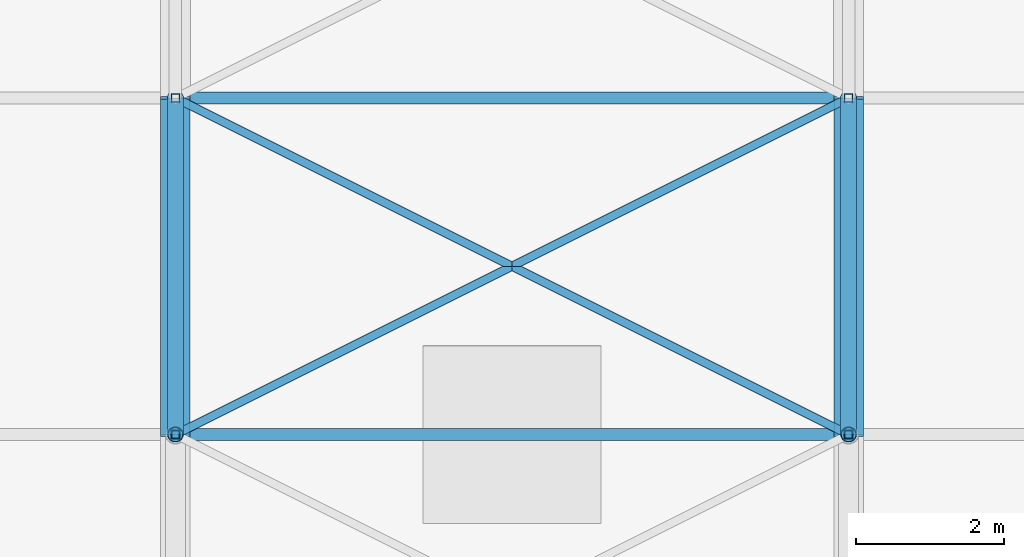
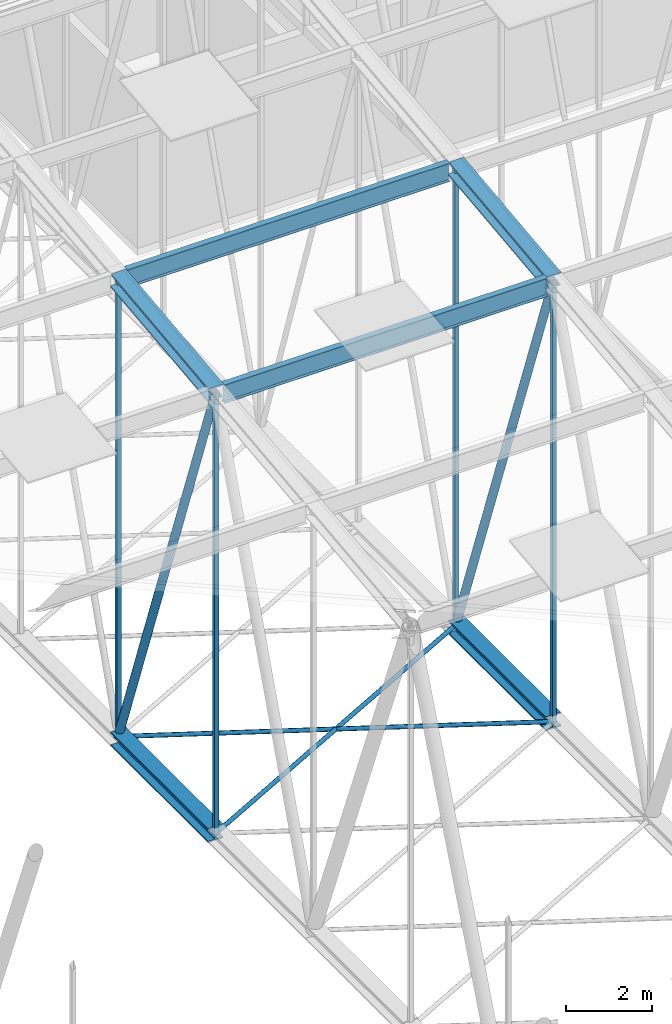
# One storey, part 157 of 500: 14 members.
"""IFC4 building model written with IfcOpenShell, lengths in metres."""

from ifc_helpers import new_model, si_unit, direction, frame, origin, origin_2d, place, context, subcontext, project, spatial, hollow_rectangle, hollow_circle, i_section, extrude, material, material_profile, profile_set, type_object, element, save


model = new_model("IFC4")

# Units and contexts
model_context = context("Model", 3, precision=1e-05, world=origin(), true_north=direction((0.0, 1.0)))
body_context = subcontext(model_context, "Body", "Model", "MODEL_VIEW")
ifc_project = project(units=[si_unit("LENGTHUNIT", "METRE"), si_unit("AREAUNIT", "SQUARE_METRE"), si_unit("VOLUMEUNIT", "CUBIC_METRE"), si_unit("PLANEANGLEUNIT", "RADIAN"), si_unit("MASSUNIT", "GRAM", prefix="KILO")], contexts=[model_context])

# Site, building, storey
site_placement = place(None, origin())
site = spatial("IfcSite", under=ifc_project, at=site_placement, CompositionType="ELEMENT")
building_placement = place(site_placement, origin())
building = spatial("IfcBuilding", under=site, at=building_placement, Name="Shirokan Park Arena", CompositionType="ELEMENT")
storey_placement = place(building_placement, frame((0.0, 0.0, 29.1201171875)))
storey = spatial("IfcBuildingStorey", under=building, at=storey_placement, Name="L06", CompositionType="ELEMENT", Elevation=29.1201171875)

# Members
ifc_material_1 = material(Name="Steel ASTM A992", Category="steel")
ifc_material_profile_1 = material_profile(ifc_material_1, i_section(OverallWidth=0.40087890625, OverallDepth=0.39892578125, WebThickness=0.02490234375, FlangeThickness=0.03955078125, at=origin_2d()), Name="W360X314")
ifc_profile_set_1 = profile_set([ifc_material_profile_1], Name="Steel ASTM A992")
member_type_1 = type_object("IfcMemberType", Name="Bottom chord W360X314", PredefinedType="CHORD", material=ifc_profile_set_1)
for number, where, z_axis, x_axis, name in (
    (1, (91.0, 40.949951171875, 4.677001953125), (0.0, 1.0, 0.0), (-1.0, 0.0, 0.0), "Truss T11 bottom chord 12"),
    (2, (100.10009765625, 40.949951171875, 4.677001953125), (0.0, 1.0, 0.0), (-1.0, 0.0, 0.0), "Truss T12 bottom chord 12"),
):
    element("IfcMember", number, at=place(storey_placement, frame(where, z_axis=z_axis, x_axis=x_axis)), inside=storey, type_object=member_type_1, Name=name, PredefinedType="CHORD", context=body_context, shape_type="SweptSolid", body=[
        extrude(i_section(OverallWidth=0.40087890625, OverallDepth=0.39892578125, WebThickness=0.02490234375, FlangeThickness=0.03955078125, at=origin_2d()), origin(), (0.0, 0.0, 1.0), 4.550048828125),
    ])
ifc_material_2 = material(Name="Steel ASTM A500 Grade C", Category="steel")
ifc_material_profile_2 = material_profile(ifc_material_2, hollow_circle(Radius=0.056884765625, WallThickness=0.006103515625, at=origin_2d()), Name="HSS114.3X6")
ifc_profile_set_2 = profile_set([ifc_material_profile_2], Name="Steel ASTM A500 Grade C")
member_type_2 = type_object("IfcMemberType", Name="Plan bracing HSS114.3X6", PredefinedType="BRACE", material=ifc_profile_set_2)
for number, where, z_axis, x_axis, name in (
    (3, (91.0, 40.949951171875, 4.677001953125), (0.894427191, 0.4472135955, 0.0), (-0.4472135955, 0.894427191, 0.0), "Plan bracing bay 11 panel 12 A"),
    (4, (100.10009765625, 40.949951171875, 4.677001953125), (-0.894427191, 0.4472135955, 0.0), (-0.4472135955, -0.894427191, 0.0), "Plan bracing bay 11 panel 12 B"),
):
    element("IfcMember", number, at=place(storey_placement, frame(where, z_axis=z_axis, x_axis=x_axis)), inside=storey, type_object=member_type_2, Name=name, PredefinedType="BRACE", context=body_context, shape_type="SweptSolid", body=[
        extrude(hollow_circle(Radius=0.056884765625, WallThickness=0.006103515625, at=origin_2d()), origin(), (0.0, 0.0, 1.0), 10.17431640625),
    ])
ifc_material_profile_3 = material_profile(ifc_material_1, i_section(OverallWidth=0.166015625, OverallDepth=0.528076171875, WebThickness=0.009765625, FlangeThickness=0.013671875, at=origin_2d()), Name="W530X74")
ifc_profile_set_3 = profile_set([ifc_material_profile_3], Name="Steel ASTM A992")
member_type_3 = type_object("IfcMemberType", Name="Purlin W530X74", PredefinedType="PURLIN", material=ifc_profile_set_3)
member_1_placement = place(storey_placement, frame((91.200439453125, 40.949951171875, 17.165771484375), z_axis=(1.0, 0.0, 0.0), x_axis=(0.0, 1.0, 0.0)))
element("IfcMember", 5, at=member_1_placement, inside=storey, type_object=member_type_3, Name="Purlin 12 bay 11", PredefinedType="PURLIN", context=body_context, shape_type="SweptSolid", body=[
    extrude(i_section(OverallWidth=0.166015625, OverallDepth=0.528076171875, WebThickness=0.009765625, FlangeThickness=0.013671875, at=origin_2d()), origin(), (0.0, 0.0, 1.0), 8.698974609375),
])
member_2_placement = place(storey_placement, frame((91.202880859375, 45.5, 17.685791015625), z_axis=(1.0, 0.0, 0.0), x_axis=(0.0, 1.0, 0.0)))
element("IfcMember", 6, at=member_2_placement, inside=storey, type_object=member_type_3, Name="Purlin 13 bay 11", PredefinedType="PURLIN", context=body_context, shape_type="SweptSolid", body=[
    extrude(i_section(OverallWidth=0.166015625, OverallDepth=0.528076171875, WebThickness=0.009765625, FlangeThickness=0.013671875, at=origin_2d()), origin(), (0.0, 0.0, 1.0), 8.694091796875),
])
ifc_material_profile_4 = material_profile(ifc_material_1, i_section(OverallWidth=0.40087890625, OverallDepth=0.39892578125, WebThickness=0.02490234375, FlangeThickness=0.03955078125, at=origin_2d()), Name="W360X314")
ifc_profile_set_4 = profile_set([ifc_material_profile_4], Name="Steel ASTM A992")
member_type_4 = type_object("IfcMemberType", Name="Top chord W360X314", PredefinedType="CHORD", material=ifc_profile_set_4)
for number, where, z_axis, x_axis, name in (
    (7, (91.0, 40.949951171875, 17.221435546875), (0.0, 0.993532328996, 0.113549598152), (-1.0, 0.0, 0.0), "Truss T11 top chord 12"),
    (8, (100.10009765625, 40.949951171875, 17.221435546875), (0.0, 0.993532328996, 0.113549598152), (-1.0, 0.0, 0.0), "Truss T12 top chord 12"),
):
    element("IfcMember", number, at=place(storey_placement, frame(where, z_axis=z_axis, x_axis=x_axis)), inside=storey, type_object=member_type_4, Name=name, PredefinedType="CHORD", context=body_context, shape_type="SweptSolid", body=[
        extrude(i_section(OverallWidth=0.40087890625, OverallDepth=0.39892578125, WebThickness=0.02490234375, FlangeThickness=0.03955078125, at=origin_2d()), origin(), (0.0, 0.0, 1.0), 4.57958984375),
    ])
ifc_material_profile_5 = material_profile(ifc_material_2, hollow_circle(Radius=0.109619140625, WallThickness=0.009521484375, at=origin_2d()), Name="HSS219.1X9.5")
ifc_profile_set_5 = profile_set([ifc_material_profile_5], Name="Steel ASTM A500 Grade C")
member_type_5 = type_object("IfcMemberType", Name="Truss diagonal HSS219.1X9.5", PredefinedType="BRACE", material=ifc_profile_set_5)
for number, where, z_axis, x_axis, name in (
    (9, (91.0, 40.949951171875, 17.221435546875), (0.0, 0.340977600467, -0.94007142068), (-1.0, 0.0, 0.0), "Truss T11 diagonal 12"),
    (10, (100.10009765625, 40.949951171875, 17.221435546875), (0.0, 0.340977600467, -0.94007142068), (-1.0, 0.0, 0.0), "Truss T12 diagonal 12"),
):
    element("IfcMember", number, at=place(storey_placement, frame(where, z_axis=z_axis, x_axis=x_axis)), inside=storey, type_object=member_type_5, Name=name, PredefinedType="BRACE", context=body_context, shape_type="SweptSolid", body=[
        extrude(hollow_circle(Radius=0.109619140625, WallThickness=0.009521484375, at=origin_2d()), origin(), (0.0, 0.0, 1.0), 13.34423828125),
    ])
ifc_material_profile_6 = material_profile(ifc_material_2, hollow_rectangle(XDim=0.114013671875, YDim=0.114013671875, WallThickness=0.00634765625, at=origin_2d()), Name="HSS114.3X114.3X6.4")
ifc_profile_set_6 = profile_set([ifc_material_profile_6], Name="Steel ASTM A500 Grade C")
member_type_6 = type_object("IfcMemberType", Name="Truss post HSS114.3X114.3X6.4", PredefinedType="POST", material=ifc_profile_set_6)
member_3_placement = place(storey_placement, frame((91.0, 40.949951171875, 4.677001953125), z_axis=(0.0, 0.0, 1.0), x_axis=(1.0, 0.0, 0.0)))
element("IfcMember", 11, at=member_3_placement, inside=storey, type_object=member_type_6, Name="Truss T11 post 12", PredefinedType="POST", context=body_context, shape_type="SweptSolid", body=[
    extrude(hollow_rectangle(XDim=0.114013671875, YDim=0.114013671875, WallThickness=0.00634765625, at=origin_2d()), origin(), (0.0, 0.0, 1.0), 12.54443359375),
])
member_4_placement = place(storey_placement, frame((91.0, 45.5, 4.677001953125), z_axis=(0.0, 0.0, 1.0), x_axis=(1.0, 0.0, 0.0)))
element("IfcMember", 12, at=member_4_placement, inside=storey, type_object=member_type_6, Name="Truss T11 post 13", PredefinedType="POST", context=body_context, shape_type="SweptSolid", body=[
    extrude(hollow_rectangle(XDim=0.114013671875, YDim=0.114013671875, WallThickness=0.00634765625, at=origin_2d()), origin(), (0.0, 0.0, 1.0), 13.064453125),
])
member_5_placement = place(storey_placement, frame((100.10009765625, 40.949951171875, 4.677001953125), z_axis=(0.0, 0.0, 1.0), x_axis=(1.0, 0.0, 0.0)))
element("IfcMember", 13, at=member_5_placement, inside=storey, type_object=member_type_6, Name="Truss T12 post 12", PredefinedType="POST", context=body_context, shape_type="SweptSolid", body=[
    extrude(hollow_rectangle(XDim=0.114013671875, YDim=0.114013671875, WallThickness=0.00634765625, at=origin_2d()), origin(), (0.0, 0.0, 1.0), 12.54443359375),
])
member_6_placement = place(storey_placement, frame((100.10009765625, 45.5, 4.677001953125), z_axis=(0.0, 0.0, 1.0), x_axis=(1.0, 0.0, 0.0)))
element("IfcMember", 14, at=member_6_placement, inside=storey, type_object=member_type_6, Name="Truss T12 post 13", PredefinedType="POST", context=body_context, shape_type="SweptSolid", body=[
    extrude(hollow_rectangle(XDim=0.114013671875, YDim=0.114013671875, WallThickness=0.00634765625, at=origin_2d()), origin(), (0.0, 0.0, 1.0), 13.064453125),
])

save(model, "model.ifc")
